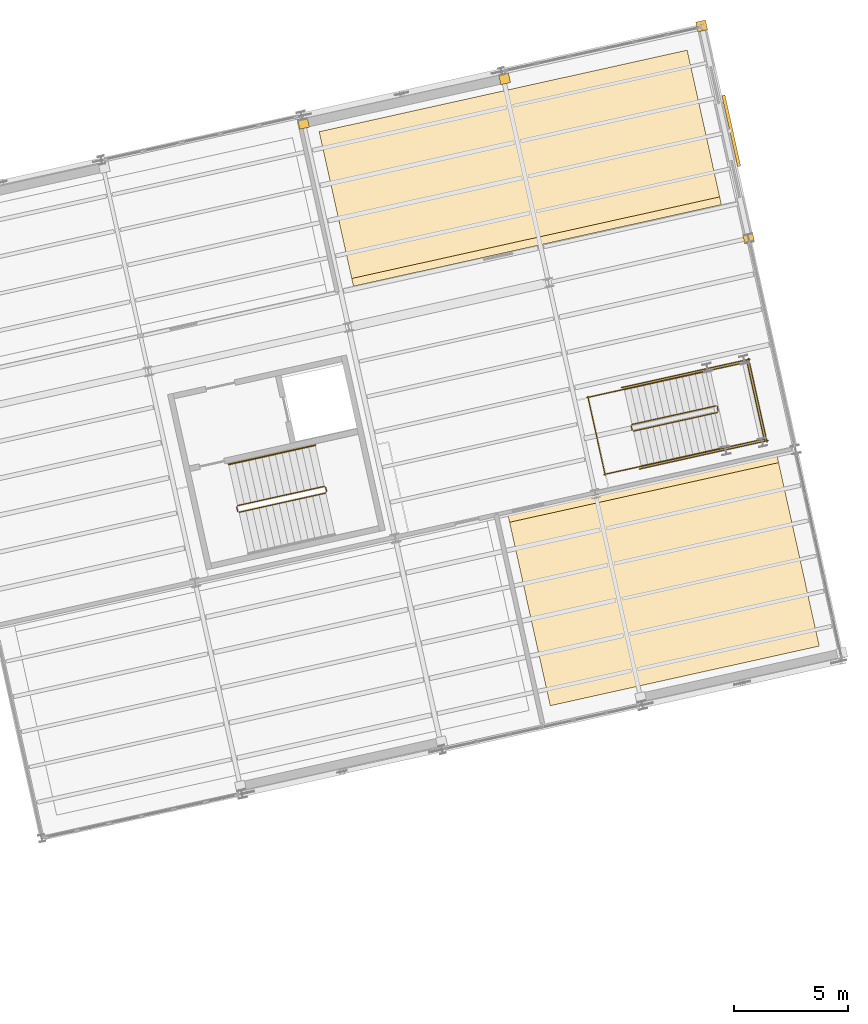
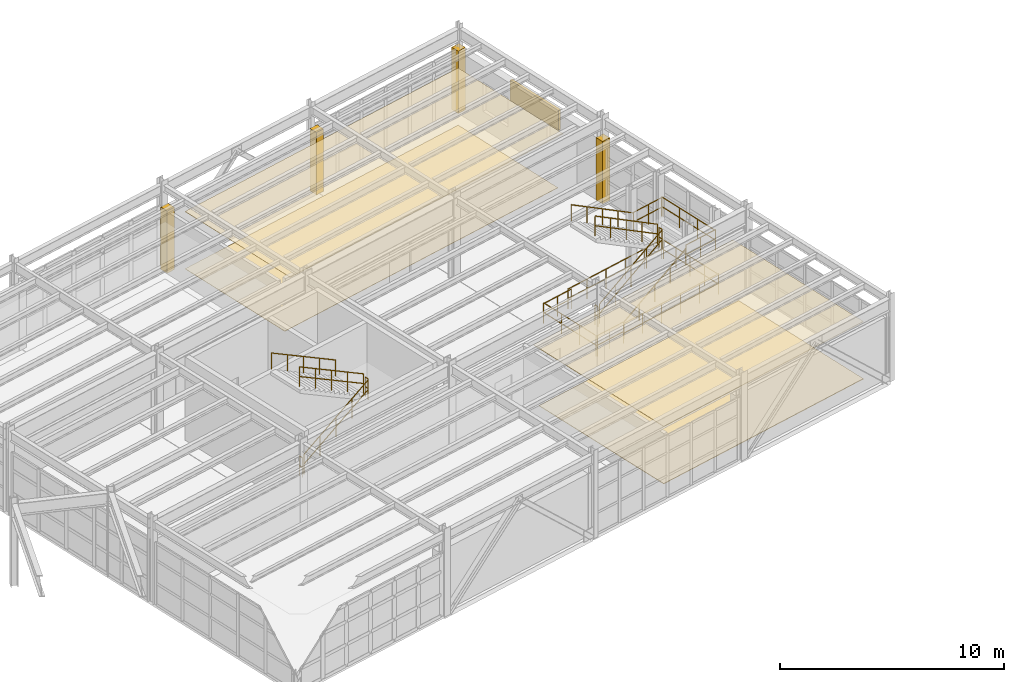
# One storey, part 109 of 109: 20 railings, 8 coverings, 1 shading device.
"""IFC4 building model written with IfcOpenShell, lengths in metres."""

from ifc_helpers import new_model, si_unit, direction, frame, origin, origin_2d, place, context, subcontext, project, spatial, polyline, rectangle, circle, outline, extrude, material, layer, layer_set, type_object, element, save


model = new_model("IFC4")

# Units and contexts
model_context = context("Model", 3, precision=1e-05, world=origin(), true_north=direction((0.0, 1.0)))
body_context = subcontext(model_context, "Body", "Model", "MODEL_VIEW")
ifc_project = project(units=[si_unit("LENGTHUNIT", "METRE"), si_unit("AREAUNIT", "SQUARE_METRE"), si_unit("VOLUMEUNIT", "CUBIC_METRE"), si_unit("PLANEANGLEUNIT", "RADIAN"), si_unit("MASSUNIT", "GRAM", prefix="KILO")], contexts=[model_context])

# Site, building, storey
site_placement = place(None, origin())
site = spatial("IfcSite", under=ifc_project, at=site_placement, CompositionType="ELEMENT")
building_placement = place(site_placement, origin())
building = spatial("IfcBuilding", under=site, at=building_placement, Name="Vireo Bluff Cable Station", CompositionType="ELEMENT")
storey_placement = place(building_placement, frame((0.0, 0.0, 4.800048828125)))
storey = spatial("IfcBuildingStorey", under=building, at=storey_placement, Name="L01", CompositionType="ELEMENT", Elevation=4.800048828125)

# Coverings
ifc_material_1 = material(Name="Perforated Acoustic Metal Ceiling")
ifc_layer_1 = layer(ifc_material_1, 0.02490234375, Name="Perforated Acoustic Metal Ceiling")
ifc_layer_set_1 = layer_set([ifc_layer_1], Name="Perforated Acoustic Metal Ceiling")
covering_type_1 = type_object("IfcCoveringType", Name="CEILING-ACOUSTIC-25", PredefinedType="CEILING", material=ifc_layer_set_1)
covering_1_placement = place(storey_placement, frame((0.0, 0.0, 3.119873046875)))
element("IfcCovering", 1, at=covering_1_placement, inside=storey, type_object=covering_type_1, Name="V2 L01 Fire Pump and Water Booster Room acoustic ceiling", PredefinedType="CEILING", context=body_context, shape_type="SweptSolid", body=[
    extrude(outline(polyline([(139.6787109375, 98.235107421875), (155.83642578125, 101.817138671875), (154.332275390625, 108.6025390625), (138.174560546875, 105.020263671875), (139.6787109375, 98.235107421875)])), origin(), (0.0, 0.0, 1.0), 0.025146484375),
])
ifc_layer_2 = layer(ifc_material_1, 0.034912109375, Name="Perforated Acoustic Metal Ceiling")
ifc_layer_set_2 = layer_set([ifc_layer_2], Name="Perforated Acoustic Metal Ceiling")
covering_type_2 = type_object("IfcCoveringType", Name="CEILING-ACOUSTIC-35", PredefinedType="CEILING", material=ifc_layer_set_2)
covering_2_placement = place(storey_placement, frame((0.0, 0.0, 3.119873046875)))
element("IfcCovering", 2, at=covering_2_placement, inside=storey, type_object=covering_type_2, Name="V2 L01 Electrical Substation acoustic ceiling", PredefinedType="CEILING", context=body_context, shape_type="SweptSolid", body=[
    extrude(outline(polyline([(148.319580078125, 79.81884765625), (160.1328125, 82.437744140625), (158.26708984375, 90.853271484375), (146.453857421875, 88.234375), (148.319580078125, 79.81884765625)])), origin(), (0.0, 0.0, 1.0), 0.03515625),
])
ifc_material_2 = material(Name="Precast concrete f'c 45 MPa", Category="concrete")
ifc_layer_3 = layer(ifc_material_2, 0.0400390625, Name="Precast concrete f'c 45 MPa")
ifc_layer_set_3 = layer_set([ifc_layer_3], Name="Precast concrete f'c 45 MPa")
covering_type_3 = type_object("IfcCoveringType", Name="COL-CLOSURE-WRAP", PredefinedType="CLADDING", material=ifc_layer_set_3)
for number, where, z_axis, x_axis, name in (
    (3, (137.485107421875, 105.389892578125, 0.0), (0.0, 0.0, 1.0), (0.97629600712, 0.216439613938, 0.0), "V2 L01 column pocket closure"),
    (4, (146.31494140625, 107.347412109375, 0.0), (0.0, 0.0, 1.0), (0.97629600712, 0.216439613938, 0.0), "V2 L01 column pocket closure"),
    (5, (154.967529296875, 109.66455078125, 0.0), (0.0, 0.0, 1.0), (0.97629600712, 0.216439613938, 0.0), "V2 L01 column pocket closure"),
    (6, (157.033935546875, 100.343505859375, 0.0), (0.0, 0.0, 1.0), (0.97629600712, 0.216439613938, 0.0), "V2 L01 column pocket closure"),
):
    element("IfcCovering", number, at=place(storey_placement, frame(where, z_axis=z_axis, x_axis=x_axis)), inside=storey, type_object=covering_type_3, Name=name, PredefinedType="CLADDING", context=body_context, shape_type="SweptSolid", body=[
        extrude(rectangle(XDim=0.43994140625, YDim=0.43994140625, at=origin_2d()), origin(), (0.0, 0.0, 1.0), 3.39990234375),
    ])
ifc_material_3 = material(Name="Polished Terrazzo Flooring")
ifc_layer_4 = layer(ifc_material_3, 0.02001953125, Name="Polished Terrazzo Flooring")
ifc_layer_set_4 = layer_set([ifc_layer_4], Name="Polished Terrazzo Flooring")
covering_type_4 = type_object("IfcCoveringType", Name="FLOORING-TERRAZZO-20", PredefinedType="FLOORING", material=ifc_layer_set_4)
covering_3_placement = place(storey_placement, origin())
element("IfcCovering", 7, at=covering_3_placement, inside=storey, type_object=covering_type_4, Name="V2 L01 Fire Pump and Water Booster Room terrazzo finish", PredefinedType="FLOORING", context=body_context, shape_type="SweptSolid", body=[
    extrude(outline(polyline([(139.60302734375, 98.576904296875), (155.7607421875, 102.158935546875), (154.332275390625, 108.6025390625), (138.174560546875, 105.020263671875), (139.60302734375, 98.576904296875)])), origin(), (0.0, 0.0, 1.0), 0.02001953125),
])
ifc_layer_5 = layer(ifc_material_3, 0.030029296875, Name="Polished Terrazzo Flooring")
ifc_layer_set_5 = layer_set([ifc_layer_5], Name="Polished Terrazzo Flooring")
covering_type_5 = type_object("IfcCoveringType", Name="FLOORING-TERRAZZO-30", PredefinedType="FLOORING", material=ifc_layer_set_5)
covering_4_placement = place(storey_placement, origin())
element("IfcCovering", 8, at=covering_4_placement, inside=storey, type_object=covering_type_5, Name="V2 L01 Electrical Substation terrazzo finish", PredefinedType="FLOORING", context=body_context, shape_type="SweptSolid", body=[
    extrude(outline(polyline([(148.319580078125, 79.81884765625), (160.1328125, 82.437744140625), (158.34716796875, 90.4921875), (146.533935546875, 87.873291015625), (148.319580078125, 79.81884765625)])), origin(), (0.0, 0.0, 1.0), 0.030029296875),
])

# Shading device
ifc_material_4 = material(Name="Anodized Aluminium 6063-T6", Category="aluminium")
shading_device_type = type_object("IfcShadingDeviceType", Name="LOUVRE-3200X1100", PredefinedType="JALOUSIE", material=ifc_material_4)
shading_device_placement = place(storey_placement, frame((156.26904296875, 105.0634765625, 2.0498046875), z_axis=(0.0, 0.0, 1.0), x_axis=(0.216439608809, -0.976296008257, 0.0)))
element("IfcShadingDevice", 9, at=shading_device_placement, inside=storey, type_object=shading_device_type, Name="V2 L01 acoustic ventilation louvre 14", PredefinedType="JALOUSIE", context=body_context, shape_type="SweptSolid", body=[
    extrude(rectangle(XDim=3.199951171875, YDim=0.139892578125, at=origin_2d()), origin(), (0.0, 0.0, 1.0), 1.10009765625),
])

# Railings
ifc_material_5 = material(Name="Stainless Steel 316", Category="steel")
railing_type_1 = type_object("IfcRailingType", Name="STAIR-GUARD-1100", PredefinedType="GUARDRAIL", material=ifc_material_5)
railing_1_placement = place(storey_placement, frame((134.6572265625, 88.31298828125, 0.17138671875)))
element("IfcRailing", 10, at=railing_1_placement, inside=storey, type_object=railing_type_1, Name="L01 ST-04 stair guard 1", PredefinedType="GUARDRAIL", context=body_context, shape_type="SweptSolid", body=[
    extrude(circle(Radius=0.02392578125, at=origin_2d()), frame((0.0, 0.0, 1.076171875), z_axis=(0.847667079932, 0.187947727777, 0.496121127572), x_axis=(-0.216466466135, 0.976290053744, 0.0)), (0.0, 0.0, 1.0), 4.491943359375),
    extrude(circle(Radius=0.02392578125, at=origin_2d()), frame((0.0, 0.0, 0.550048828125), z_axis=(0.847667079932, 0.187947727777, 0.496121127572), x_axis=(-0.216466466135, 0.976290053744, 0.0)), (0.0, 0.0, 1.0), 4.491943359375),
    extrude(circle(Radius=0.02099609375, at=origin_2d()), origin(), (0.0, 0.0, 1.0), 1.052001953125),
    extrude(circle(Radius=0.02099609375, at=origin_2d()), frame((0.951904296875, 0.2109375, 0.55712890625)), (0.0, 0.0, 1.0), 1.052001953125),
    extrude(circle(Radius=0.02099609375, at=origin_2d()), frame((1.90380859375, 0.422119140625, 1.1142578125)), (0.0, 0.0, 1.0), 1.052001953125),
    extrude(circle(Radius=0.02099609375, at=origin_2d()), frame((2.855712890625, 0.63330078125, 1.67138671875)), (0.0, 0.0, 1.0), 1.052001953125),
    extrude(circle(Radius=0.02099609375, at=origin_2d()), frame((3.8076171875, 0.84423828125, 2.228515625)), (0.0, 0.0, 1.0), 1.052001953125),
])
railing_2_placement = place(storey_placement, frame((138.5029296875, 89.216796875, 2.39990234375)))
element("IfcRailing", 11, at=railing_2_placement, inside=storey, type_object=railing_type_1, Name="L01 ST-04 stair guard 2", PredefinedType="GUARDRAIL", context=body_context, shape_type="SweptSolid", body=[
    extrude(circle(Radius=0.02392578125, at=origin_2d()), frame((0.0, 0.0, 1.076171875), z_axis=(-0.217188837468, 0.976129606599, 0.0), x_axis=(-0.976129606599, -0.217188837468, 0.0)), (0.0, 0.0, 1.0), 0.2001953125),
    extrude(circle(Radius=0.02392578125, at=origin_2d()), frame((0.0, 0.0, 0.550048828125), z_axis=(-0.217188837468, 0.976129606599, 0.0), x_axis=(-0.976129606599, -0.217188837468, 0.0)), (0.0, 0.0, 1.0), 0.2001953125),
    extrude(circle(Radius=0.02099609375, at=origin_2d()), origin(), (0.0, 0.0, 1.0), 1.052001953125),
    extrude(circle(Radius=0.02099609375, at=origin_2d()), frame((-0.04345703125, 0.1953125, 0.0)), (0.0, 0.0, 1.0), 1.052001953125),
])
railing_3_placement = place(storey_placement, frame((138.39990234375, 89.449951171875, 2.5712890625)))
element("IfcRailing", 12, at=railing_3_placement, inside=storey, type_object=railing_type_1, Name="L01 ST-04 stair guard 3", PredefinedType="GUARDRAIL", context=body_context, shape_type="SweptSolid", body=[
    extrude(circle(Radius=0.02392578125, at=origin_2d()), frame((0.0, 0.0, 1.076171875), z_axis=(-0.847652879608, -0.187890228572, 0.496167167091), x_axis=(0.216406799411, -0.976303281347, 0.0)), (0.0, 0.0, 1.0), 4.491943359375),
    extrude(circle(Radius=0.02392578125, at=origin_2d()), frame((0.0, 0.0, 0.550048828125), z_axis=(-0.847652879608, -0.187890228572, 0.496167167091), x_axis=(0.216406799411, -0.976303281347, 0.0)), (0.0, 0.0, 1.0), 4.491943359375),
    extrude(circle(Radius=0.02099609375, at=origin_2d()), origin(), (0.0, 0.0, 1.0), 1.052001953125),
    extrude(circle(Radius=0.02099609375, at=origin_2d()), frame((-0.951904296875, -0.2109375, 0.55712890625)), (0.0, 0.0, 1.0), 1.052001953125),
    extrude(circle(Radius=0.02099609375, at=origin_2d()), frame((-1.90380859375, -0.421875, 1.1142578125)), (0.0, 0.0, 1.0), 1.052001953125),
    extrude(circle(Radius=0.02099609375, at=origin_2d()), frame((-2.855712890625, -0.633056640625, 1.671630859375)), (0.0, 0.0, 1.0), 1.052001953125),
    extrude(circle(Radius=0.02099609375, at=origin_2d()), frame((-3.8076171875, -0.843994140625, 2.228759765625)), (0.0, 0.0, 1.0), 1.052001953125),
])
railing_4_placement = place(storey_placement, frame((134.59765625, 88.35107421875, 0.0)))
element("IfcRailing", 13, at=railing_4_placement, inside=storey, type_object=railing_type_1, Name="L01 ST-04 stair guard 4", PredefinedType="GUARDRAIL", context=body_context, shape_type="SweptSolid", body=[
    extrude(circle(Radius=0.02392578125, at=origin_2d()), frame((0.0, 0.0, 1.076171875), z_axis=(-0.216025770228, 0.976387662047, 0.0), x_axis=(-0.976387662047, -0.216025770228, 0.0)), (0.0, 0.0, 1.0), 0.199951171875),
    extrude(circle(Radius=0.02392578125, at=origin_2d()), frame((0.0, 0.0, 0.550048828125), z_axis=(-0.216025770228, 0.976387662047, 0.0), x_axis=(-0.976387662047, -0.216025770228, 0.0)), (0.0, 0.0, 1.0), 0.199951171875),
    extrude(circle(Radius=0.02099609375, at=origin_2d()), origin(), (0.0, 0.0, 1.0), 1.052001953125),
    extrude(circle(Radius=0.02099609375, at=origin_2d()), frame((-0.043212890625, 0.1953125, 0.0)), (0.0, 0.0, 1.0), 1.052001953125),
])
railing_5_placement = place(storey_placement, frame((151.9765625, 91.876220703125, 0.17138671875)))
element("IfcRailing", 14, at=railing_5_placement, inside=storey, type_object=railing_type_1, Name="L01 ST-09 stair guard 1", PredefinedType="GUARDRAIL", context=body_context, shape_type="SweptSolid", body=[
    extrude(circle(Radius=0.02392578125, at=origin_2d()), frame((0.0, 0.0, 1.076171875), z_axis=(0.840446156848, 0.186307446019, 0.508861270875), x_axis=(-0.216423026341, 0.976299684354, 0.0)), (0.0, 0.0, 1.0), 4.37939453125),
    extrude(circle(Radius=0.02392578125, at=origin_2d()), frame((0.0, 0.0, 0.550048828125), z_axis=(0.840446156848, 0.186307446019, 0.508861270875), x_axis=(-0.216423026341, 0.976299684354, 0.0)), (0.0, 0.0, 1.0), 4.37939453125),
    extrude(circle(Radius=0.02099609375, at=origin_2d()), origin(), (0.0, 0.0, 1.0), 1.052001953125),
    extrude(circle(Radius=0.02099609375, at=origin_2d()), frame((0.920166015625, 0.2041015625, 0.55712890625)), (0.0, 0.0, 1.0), 1.052001953125),
    extrude(circle(Radius=0.02099609375, at=origin_2d()), frame((1.84033203125, 0.407958984375, 1.1142578125)), (0.0, 0.0, 1.0), 1.052001953125),
    extrude(circle(Radius=0.02099609375, at=origin_2d()), frame((2.760498046875, 0.61181640625, 1.67138671875)), (0.0, 0.0, 1.0), 1.052001953125),
    extrude(circle(Radius=0.02099609375, at=origin_2d()), frame((3.6806640625, 0.81591796875, 2.228515625)), (0.0, 0.0, 1.0), 1.052001953125),
])
railing_6_placement = place(storey_placement, frame((155.6953125, 92.751708984375, 2.39990234375)))
element("IfcRailing", 15, at=railing_6_placement, inside=storey, type_object=railing_type_1, Name="L01 ST-09 stair guard 2", PredefinedType="GUARDRAIL", context=body_context, shape_type="SweptSolid", body=[
    extrude(circle(Radius=0.02392578125, at=origin_2d()), frame((0.0, 0.0, 1.076171875), z_axis=(-0.216025770228, 0.976387662047, 0.0), x_axis=(-0.976387662047, -0.216025770228, 0.0)), (0.0, 0.0, 1.0), 0.199951171875),
    extrude(circle(Radius=0.02392578125, at=origin_2d()), frame((0.0, 0.0, 0.550048828125), z_axis=(-0.216025770228, 0.976387662047, 0.0), x_axis=(-0.976387662047, -0.216025770228, 0.0)), (0.0, 0.0, 1.0), 0.199951171875),
    extrude(circle(Radius=0.02099609375, at=origin_2d()), origin(), (0.0, 0.0, 1.0), 1.052001953125),
    extrude(circle(Radius=0.02099609375, at=origin_2d()), frame((-0.043212890625, 0.1953125, 0.0)), (0.0, 0.0, 1.0), 1.052001953125),
])
railing_7_placement = place(storey_placement, frame((155.999267578125, 91.149658203125, 2.39990234375)))
element("IfcRailing", 16, at=railing_7_placement, inside=storey, type_object=railing_type_1, Name="L01 ST-09 stair guard 3", PredefinedType="GUARDRAIL", context=body_context, shape_type="SweptSolid", body=[
    extrude(circle(Radius=0.02392578125, at=origin_2d()), frame((0.0, 0.0, 1.076171875), z_axis=(0.976317732758, 0.21634159263, 0.0), x_axis=(-0.21634159263, 0.976317732758, 0.0)), (0.0, 0.0, 1.0), 1.800048828125),
    extrude(circle(Radius=0.02392578125, at=origin_2d()), frame((0.0, 0.0, 0.550048828125), z_axis=(0.976317732758, 0.21634159263, 0.0), x_axis=(-0.21634159263, 0.976317732758, 0.0)), (0.0, 0.0, 1.0), 1.800048828125),
    extrude(circle(Radius=0.02099609375, at=origin_2d()), origin(), (0.0, 0.0, 1.0), 1.052001953125),
    extrude(circle(Radius=0.02099609375, at=origin_2d()), frame((0.878662109375, 0.19482421875, 0.0)), (0.0, 0.0, 1.0), 1.052001953125),
    extrude(circle(Radius=0.02099609375, at=origin_2d()), frame((1.75732421875, 0.389404296875, 0.0)), (0.0, 0.0, 1.0), 1.052001953125),
])
railing_8_placement = place(storey_placement, frame((155.25048828125, 94.527587890625, 2.39990234375)))
element("IfcRailing", 17, at=railing_8_placement, inside=storey, type_object=railing_type_1, Name="L01 ST-09 stair guard 4", PredefinedType="GUARDRAIL", context=body_context, shape_type="SweptSolid", body=[
    extrude(circle(Radius=0.02392578125, at=origin_2d()), frame((0.0, 0.0, 1.076171875), z_axis=(0.976289075969, 0.216470875972, 0.0), x_axis=(-0.216470875972, 0.976289075969, 0.0)), (0.0, 0.0, 1.0), 1.800048828125),
    extrude(circle(Radius=0.02392578125, at=origin_2d()), frame((0.0, 0.0, 0.550048828125), z_axis=(0.976289075969, 0.216470875972, 0.0), x_axis=(-0.216470875972, 0.976289075969, 0.0)), (0.0, 0.0, 1.0), 1.800048828125),
    extrude(circle(Radius=0.02099609375, at=origin_2d()), origin(), (0.0, 0.0, 1.0), 1.052001953125),
    extrude(circle(Radius=0.02099609375, at=origin_2d()), frame((0.878662109375, 0.19482421875, 0.0)), (0.0, 0.0, 1.0), 1.052001953125),
    extrude(circle(Radius=0.02099609375, at=origin_2d()), frame((1.75732421875, 0.3896484375, 0.0)), (0.0, 0.0, 1.0), 1.052001953125),
])
railing_9_placement = place(storey_placement, frame((157.718505859375, 91.4794921875, 2.39990234375)))
element("IfcRailing", 18, at=railing_9_placement, inside=storey, type_object=railing_type_1, Name="L01 ST-09 stair guard 5", PredefinedType="GUARDRAIL", context=body_context, shape_type="SweptSolid", body=[
    extrude(circle(Radius=0.02392578125, at=origin_2d()), frame((0.0, 0.0, 1.076171875), z_axis=(-0.216436658224, 0.976296662381, 0.0), x_axis=(-0.976296662381, -0.216436658224, 0.0)), (0.0, 0.0, 1.0), 3.56005859375),
    extrude(circle(Radius=0.02392578125, at=origin_2d()), frame((0.0, 0.0, 0.550048828125), z_axis=(-0.216436658224, 0.976296662381, 0.0), x_axis=(-0.976296662381, -0.216436658224, 0.0)), (0.0, 0.0, 1.0), 3.56005859375),
    extrude(circle(Radius=0.02099609375, at=origin_2d()), origin(), (0.0, 0.0, 1.0), 1.052001953125),
    extrude(circle(Radius=0.02099609375, at=origin_2d()), frame((-0.2568359375, 1.158447265625, 0.0)), (0.0, 0.0, 1.0), 1.052001953125),
    extrude(circle(Radius=0.02099609375, at=origin_2d()), frame((-0.513671875, 2.317138671875, 0.0)), (0.0, 0.0, 1.0), 1.052001953125),
    extrude(circle(Radius=0.02099609375, at=origin_2d()), frame((-0.7705078125, 3.4755859375, 0.0)), (0.0, 0.0, 1.0), 1.052001953125),
])
railing_10_placement = place(storey_placement, frame((155.59228515625, 92.98486328125, 2.5712890625)))
element("IfcRailing", 19, at=railing_10_placement, inside=storey, type_object=railing_type_1, Name="L01 ST-09 stair guard 6", PredefinedType="GUARDRAIL", context=body_context, shape_type="SweptSolid", body=[
    extrude(circle(Radius=0.02392578125, at=origin_2d()), frame((0.0, 0.0, 1.076171875), z_axis=(-0.840422315085, -0.186302160853, 0.508902581216), x_axis=(0.216423026341, -0.976299684354, 0.0)), (0.0, 0.0, 1.0), 4.379638671875),
    extrude(circle(Radius=0.02392578125, at=origin_2d()), frame((0.0, 0.0, 0.550048828125), z_axis=(-0.840422315085, -0.186302160853, 0.508902581216), x_axis=(0.216423026341, -0.976299684354, 0.0)), (0.0, 0.0, 1.0), 4.379638671875),
    extrude(circle(Radius=0.02099609375, at=origin_2d()), origin(), (0.0, 0.0, 1.0), 1.052001953125),
    extrude(circle(Radius=0.02099609375, at=origin_2d()), frame((-0.920166015625, -0.2041015625, 0.55712890625)), (0.0, 0.0, 1.0), 1.052001953125),
    extrude(circle(Radius=0.02099609375, at=origin_2d()), frame((-1.84033203125, -0.407958984375, 1.1142578125)), (0.0, 0.0, 1.0), 1.052001953125),
    extrude(circle(Radius=0.02099609375, at=origin_2d()), frame((-2.760498046875, -0.61181640625, 1.671630859375)), (0.0, 0.0, 1.0), 1.052001953125),
    extrude(circle(Radius=0.02099609375, at=origin_2d()), frame((-3.6806640625, -0.81591796875, 2.228759765625)), (0.0, 0.0, 1.0), 1.052001953125),
])
railing_11_placement = place(storey_placement, frame((151.9169921875, 91.9140625, 0.0)))
element("IfcRailing", 20, at=railing_11_placement, inside=storey, type_object=railing_type_1, Name="L01 ST-09 stair guard 7", PredefinedType="GUARDRAIL", context=body_context, shape_type="SweptSolid", body=[
    extrude(circle(Radius=0.02392578125, at=origin_2d()), frame((0.0, 0.0, 1.076171875), z_axis=(-0.216025770228, 0.976387662047, 0.0), x_axis=(-0.976387662047, -0.216025770228, 0.0)), (0.0, 0.0, 1.0), 0.199951171875),
    extrude(circle(Radius=0.02392578125, at=origin_2d()), frame((0.0, 0.0, 0.550048828125), z_axis=(-0.216025770228, 0.976387662047, 0.0), x_axis=(-0.976387662047, -0.216025770228, 0.0)), (0.0, 0.0, 1.0), 0.199951171875),
    extrude(circle(Radius=0.02099609375, at=origin_2d()), origin(), (0.0, 0.0, 1.0), 1.052001953125),
    extrude(circle(Radius=0.02099609375, at=origin_2d()), frame((-0.043212890625, 0.1953125, 0.0)), (0.0, 0.0, 1.0), 1.052001953125),
])
railing_12_placement = place(storey_placement, frame((150.678466796875, 89.969970703125, 0.0)))
element("IfcRailing", 21, at=railing_12_placement, inside=storey, type_object=railing_type_1, Name="L01 ST-09 stair guard 8", PredefinedType="GUARDRAIL", context=body_context, shape_type="SweptSolid", body=[
    extrude(circle(Radius=0.02392578125, at=origin_2d()), frame((0.0, 0.0, 1.076171875), z_axis=(0.976306592655, 0.216391860146, 0.0), x_axis=(-0.216391860146, 0.976306592655, 0.0)), (0.0, 0.0, 1.0), 1.679931640625),
    extrude(circle(Radius=0.02392578125, at=origin_2d()), frame((0.0, 0.0, 0.550048828125), z_axis=(0.976306592655, 0.216391860146, 0.0), x_axis=(-0.216391860146, 0.976306592655, 0.0)), (0.0, 0.0, 1.0), 1.679931640625),
    extrude(circle(Radius=0.02099609375, at=origin_2d()), origin(), (0.0, 0.0, 1.0), 1.052001953125),
    extrude(circle(Radius=0.02099609375, at=origin_2d()), frame((0.820068359375, 0.181640625, 0.0)), (0.0, 0.0, 1.0), 1.052001953125),
    extrude(circle(Radius=0.02099609375, at=origin_2d()), frame((1.64013671875, 0.363525390625, 0.0)), (0.0, 0.0, 1.0), 1.052001953125),
])
railing_13_placement = place(storey_placement, frame((149.9296875, 93.347900390625, 0.0)))
element("IfcRailing", 22, at=railing_13_placement, inside=storey, type_object=railing_type_1, Name="L01 ST-09 stair guard 9", PredefinedType="GUARDRAIL", context=body_context, shape_type="SweptSolid", body=[
    extrude(circle(Radius=0.02392578125, at=origin_2d()), frame((0.0, 0.0, 1.076171875), z_axis=(0.976275881321, 0.216530375583, 0.0), x_axis=(-0.216530375583, 0.976275881321, 0.0)), (0.0, 0.0, 1.0), 1.679931640625),
    extrude(circle(Radius=0.02392578125, at=origin_2d()), frame((0.0, 0.0, 0.550048828125), z_axis=(0.976275881321, 0.216530375583, 0.0), x_axis=(-0.216530375583, 0.976275881321, 0.0)), (0.0, 0.0, 1.0), 1.679931640625),
    extrude(circle(Radius=0.02099609375, at=origin_2d()), origin(), (0.0, 0.0, 1.0), 1.052001953125),
    extrude(circle(Radius=0.02099609375, at=origin_2d()), frame((0.820068359375, 0.181884765625, 0.0)), (0.0, 0.0, 1.0), 1.052001953125),
    extrude(circle(Radius=0.02099609375, at=origin_2d()), frame((1.64013671875, 0.36376953125, 0.0)), (0.0, 0.0, 1.0), 1.052001953125),
])
railing_14_placement = place(storey_placement, frame((150.738037109375, 89.931884765625, 0.0)))
element("IfcRailing", 23, at=railing_14_placement, inside=storey, type_object=railing_type_1, Name="L01 ST-09 stair guard 10", PredefinedType="GUARDRAIL", context=body_context, shape_type="SweptSolid", body=[
    extrude(circle(Radius=0.02392578125, at=origin_2d()), frame((0.0, 0.0, 1.076171875), z_axis=(-0.216436658224, 0.976296662381, 0.0), x_axis=(-0.976296662381, -0.216436658224, 0.0)), (0.0, 0.0, 1.0), 3.56005859375),
    extrude(circle(Radius=0.02392578125, at=origin_2d()), frame((0.0, 0.0, 0.550048828125), z_axis=(-0.216436658224, 0.976296662381, 0.0), x_axis=(-0.976296662381, -0.216436658224, 0.0)), (0.0, 0.0, 1.0), 3.56005859375),
    extrude(circle(Radius=0.02099609375, at=origin_2d()), origin(), (0.0, 0.0, 1.0), 1.052001953125),
    extrude(circle(Radius=0.02099609375, at=origin_2d()), frame((-0.2568359375, 1.158447265625, 0.0)), (0.0, 0.0, 1.0), 1.052001953125),
    extrude(circle(Radius=0.02099609375, at=origin_2d()), frame((-0.513671875, 2.317138671875, 0.0)), (0.0, 0.0, 1.0), 1.052001953125),
    extrude(circle(Radius=0.02099609375, at=origin_2d()), frame((-0.7705078125, 3.4755859375, 0.0)), (0.0, 0.0, 1.0), 1.052001953125),
])
for number, where, name in (
    (24, (152.24267578125, 90.21435546875, 0.0), "L01 ST-09 stair guard 11"),
    (25, (151.450439453125, 93.78759765625, 0.0), "L01 ST-09 stair guard 12"),
):
    element("IfcRailing", number, at=place(storey_placement, frame(where)), inside=storey, type_object=railing_type_1, Name=name, PredefinedType="GUARDRAIL", context=body_context, shape_type="SweptSolid", body=[
        extrude(circle(Radius=0.02392578125, at=origin_2d()), frame((0.0, 0.0, 1.076171875), z_axis=(0.976299428174, 0.216424181984, 0.0), x_axis=(-0.216424181984, 0.976299428174, 0.0)), (0.0, 0.0, 1.0), 5.77001953125),
        extrude(circle(Radius=0.02392578125, at=origin_2d()), frame((0.0, 0.0, 0.550048828125), z_axis=(0.976299428174, 0.216424181984, 0.0), x_axis=(-0.216424181984, 0.976299428174, 0.0)), (0.0, 0.0, 1.0), 5.77001953125),
        extrude(circle(Radius=0.02099609375, at=origin_2d()), origin(), (0.0, 0.0, 1.0), 1.052001953125),
        extrude(circle(Radius=0.02099609375, at=origin_2d()), frame((1.126708984375, 0.249755859375, 0.0)), (0.0, 0.0, 1.0), 1.052001953125),
        extrude(circle(Radius=0.02099609375, at=origin_2d()), frame((2.25341796875, 0.49951171875, 0.0)), (0.0, 0.0, 1.0), 1.052001953125),
        extrude(circle(Radius=0.02099609375, at=origin_2d()), frame((3.3798828125, 0.749267578125, 0.0)), (0.0, 0.0, 1.0), 1.052001953125),
        extrude(circle(Radius=0.02099609375, at=origin_2d()), frame((4.506591796875, 0.9990234375, 0.0)), (0.0, 0.0, 1.0), 1.052001953125),
        extrude(circle(Radius=0.02099609375, at=origin_2d()), frame((5.63330078125, 1.248779296875, 0.0)), (0.0, 0.0, 1.0), 1.052001953125),
    ])
railing_15_placement = place(storey_placement, frame((157.837890625, 91.403564453125, 0.0)))
element("IfcRailing", 26, at=railing_15_placement, inside=storey, type_object=railing_type_1, Name="L01 ST-09 stair guard 13", PredefinedType="GUARDRAIL", context=body_context, shape_type="SweptSolid", body=[
    extrude(circle(Radius=0.02392578125, at=origin_2d()), frame((0.0, 0.0, 1.076171875), z_axis=(-0.21641479956, 0.976301508004, 0.0), x_axis=(-0.976301508004, -0.21641479956, 0.0)), (0.0, 0.0, 1.0), 3.760009765625),
    extrude(circle(Radius=0.02392578125, at=origin_2d()), frame((0.0, 0.0, 0.550048828125), z_axis=(-0.21641479956, 0.976301508004, 0.0), x_axis=(-0.976301508004, -0.21641479956, 0.0)), (0.0, 0.0, 1.0), 3.760009765625),
    extrude(circle(Radius=0.02099609375, at=origin_2d()), origin(), (0.0, 0.0, 1.0), 1.052001953125),
    extrude(circle(Radius=0.02099609375, at=origin_2d()), frame((-0.203369140625, 0.917724609375, 0.0)), (0.0, 0.0, 1.0), 1.052001953125),
    extrude(circle(Radius=0.02099609375, at=origin_2d()), frame((-0.40673828125, 1.83544921875, 0.0)), (0.0, 0.0, 1.0), 1.052001953125),
    extrude(circle(Radius=0.02099609375, at=origin_2d()), frame((-0.6103515625, 2.753173828125, 0.0)), (0.0, 0.0, 1.0), 1.052001953125),
    extrude(circle(Radius=0.02099609375, at=origin_2d()), frame((-0.813720703125, 3.6708984375, 0.0)), (0.0, 0.0, 1.0), 1.052001953125),
])
railing_type_2 = type_object("IfcRailingType", Name="STAIR-HANDRAIL-900", PredefinedType="HANDRAIL", material=ifc_material_5)
railing_16_placement = place(storey_placement, frame((137.99951171875, 91.256103515625, 2.5712890625)))
element("IfcRailing", 27, at=railing_16_placement, inside=storey, type_object=railing_type_2, Name="L01 ST-04 stair handrail 2", PredefinedType="HANDRAIL", context=body_context, shape_type="SweptSolid", body=[
    extrude(circle(Radius=0.02392578125, at=origin_2d()), frame((0.0, 0.0, 0.8759765625), z_axis=(-0.847652879608, -0.187890228572, 0.496167167091), x_axis=(0.216406799411, -0.976303281347, 0.0)), (0.0, 0.0, 1.0), 4.491943359375),
    extrude(circle(Radius=0.02099609375, at=origin_2d()), origin(), (0.0, 0.0, 1.0), 0.851806640625),
    extrude(circle(Radius=0.02099609375, at=origin_2d()), frame((-0.951904296875, -0.2109375, 0.55712890625)), (0.0, 0.0, 1.0), 0.851806640625),
    extrude(circle(Radius=0.02099609375, at=origin_2d()), frame((-1.90380859375, -0.421875, 1.1142578125)), (0.0, 0.0, 1.0), 0.851806640625),
    extrude(circle(Radius=0.02099609375, at=origin_2d()), frame((-2.855712890625, -0.633056640625, 1.671630859375)), (0.0, 0.0, 1.0), 0.851806640625),
    extrude(circle(Radius=0.02099609375, at=origin_2d()), frame((-3.8076171875, -0.843994140625, 2.228759765625)), (0.0, 0.0, 1.0), 0.851806640625),
])
railing_17_placement = place(storey_placement, frame((152.318603515625, 90.33349609375, 0.17138671875)))
element("IfcRailing", 28, at=railing_17_placement, inside=storey, type_object=railing_type_2, Name="L01 ST-09 stair handrail 1", PredefinedType="HANDRAIL", context=body_context, shape_type="SweptSolid", body=[
    extrude(circle(Radius=0.02392578125, at=origin_2d()), frame((0.0, 0.0, 0.8759765625), z_axis=(0.840437426691, 0.186361257457, 0.508855985065), x_axis=(-0.216484750358, 0.976285999522, 0.0)), (0.0, 0.0, 1.0), 4.37939453125),
    extrude(circle(Radius=0.02099609375, at=origin_2d()), origin(), (0.0, 0.0, 1.0), 0.851806640625),
    extrude(circle(Radius=0.02099609375, at=origin_2d()), frame((0.920166015625, 0.2041015625, 0.55712890625)), (0.0, 0.0, 1.0), 0.851806640625),
    extrude(circle(Radius=0.02099609375, at=origin_2d()), frame((1.84033203125, 0.408203125, 1.1142578125)), (0.0, 0.0, 1.0), 0.851806640625),
    extrude(circle(Radius=0.02099609375, at=origin_2d()), frame((2.760498046875, 0.612060546875, 1.67138671875)), (0.0, 0.0, 1.0), 0.851806640625),
    extrude(circle(Radius=0.02099609375, at=origin_2d()), frame((3.6806640625, 0.816162109375, 2.228515625)), (0.0, 0.0, 1.0), 0.851806640625),
])
railing_18_placement = place(storey_placement, frame((155.25048828125, 94.527587890625, 2.5712890625)))
element("IfcRailing", 29, at=railing_18_placement, inside=storey, type_object=railing_type_2, Name="L01 ST-09 stair handrail 2", PredefinedType="HANDRAIL", context=body_context, shape_type="SweptSolid", body=[
    extrude(circle(Radius=0.02392578125, at=origin_2d()), frame((0.0, 0.0, 0.8759765625), z_axis=(-0.840422315085, -0.186302160853, 0.508902581216), x_axis=(0.216423026341, -0.976299684354, 0.0)), (0.0, 0.0, 1.0), 4.379638671875),
    extrude(circle(Radius=0.02099609375, at=origin_2d()), origin(), (0.0, 0.0, 1.0), 0.851806640625),
    extrude(circle(Radius=0.02099609375, at=origin_2d()), frame((-0.920166015625, -0.2041015625, 0.55712890625)), (0.0, 0.0, 1.0), 0.851806640625),
    extrude(circle(Radius=0.02099609375, at=origin_2d()), frame((-1.84033203125, -0.407958984375, 1.1142578125)), (0.0, 0.0, 1.0), 0.851806640625),
    extrude(circle(Radius=0.02099609375, at=origin_2d()), frame((-2.760498046875, -0.61181640625, 1.671630859375)), (0.0, 0.0, 1.0), 0.851806640625),
    extrude(circle(Radius=0.02099609375, at=origin_2d()), frame((-3.6806640625, -0.81591796875, 2.228759765625)), (0.0, 0.0, 1.0), 0.851806640625),
])

save(model, "model.ifc")
